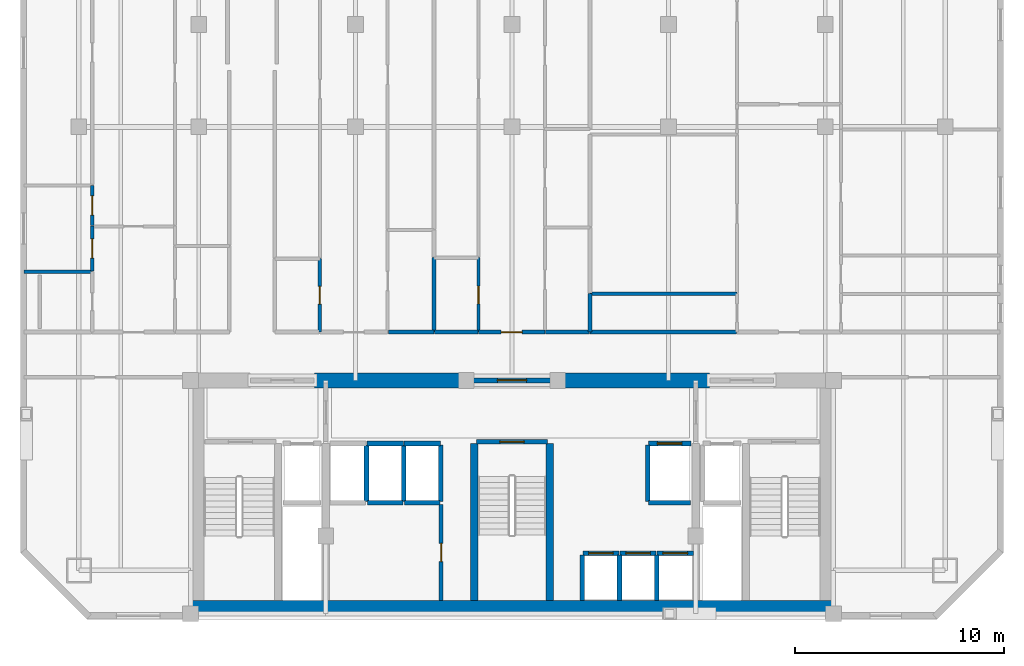
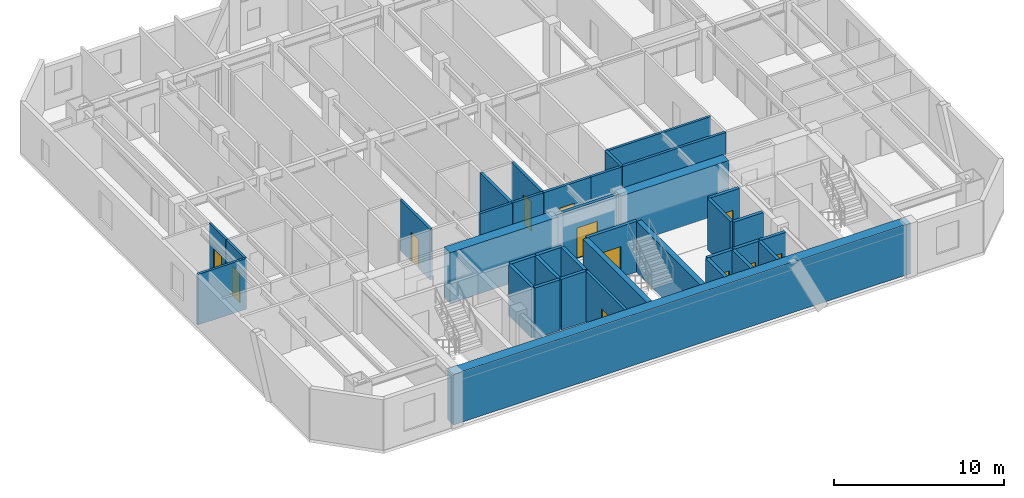
# One storey, part 3 of 8: 37 walls, 12 doors, 12 openings.
"""IFC4 building model written with IfcOpenShell, lengths in metres."""

from ifc_helpers import new_model, si_unit, direction, frame, frame_2d, origin, place, context, subcontext, project, spatial, rectangle, extrude, material, layer, layer_set, type_object, element, fill, save


model = new_model("IFC4")

# Units and contexts
model_context = context("Model", 3, precision=1e-05, world=origin(), true_north=direction((0.0, 1.0)))
body_context = subcontext(model_context, "Body", "Model", "MODEL_VIEW")
ifc_project = project(units=[si_unit("LENGTHUNIT", "METRE"), si_unit("AREAUNIT", "SQUARE_METRE"), si_unit("VOLUMEUNIT", "CUBIC_METRE"), si_unit("PLANEANGLEUNIT", "RADIAN"), si_unit("MASSUNIT", "GRAM", prefix="KILO")], contexts=[model_context])

# Site, building, storey
site_placement = place(None, origin())
site = spatial("IfcSite", under=ifc_project, at=site_placement, CompositionType="ELEMENT")
building_placement = place(site_placement, origin())
building = spatial("IfcBuilding", under=site, at=building_placement, Name="Ventersveld Concourse Tower", CompositionType="ELEMENT")
storey_placement = place(building_placement, frame((0.0, 0.0, 168.300048828125)))
storey = spatial("IfcBuildingStorey", under=building, at=storey_placement, Name="L41", CompositionType="ELEMENT", Elevation=168.300048828125)

# Walls
ifc_material_1 = material(Name="Concrete C60/75", Category="concrete")
ifc_layer_1 = layer(ifc_material_1, 0.35009765625)
ifc_layer_set_1 = layer_set([ifc_layer_1], Name="Concrete C60/75")
wall_type_1 = type_object("IfcWallType", Name="WL-CORE-350L", PredefinedType="SHEAR", material=ifc_layer_set_1)
for number, where, z_axis, x_axis, name in (
    (1, (26.93994140625, 0.919921875, 0.0), (0.0, 0.0, 1.0), (0.0, 1.0, 0.0), "L41 Core Internal Shear Web W-ST3-W"),
    (2, (30.56005859375, 0.919921875, 0.0), (0.0, 0.0, 1.0), (0.0, 1.0, 0.0), "L41 Core Internal Shear Web W-ST3-E"),
):
    element("IfcWall", number, at=place(storey_placement, frame(where, z_axis=z_axis, x_axis=x_axis)), inside=storey, type_object=wall_type_1, Name=name, PredefinedType="SHEAR", context=body_context, shape_type="SweptSolid", body=[
        extrude(rectangle(XDim=7.5, YDim=0.35009765625, at=frame_2d((3.75, 0.0))), origin(), (0.0, 0.0, 1.0), 3.6298828125),
    ])
ifc_layer_2 = layer(ifc_material_1, 0.699951171875)
ifc_layer_set_2 = layer_set([ifc_layer_2], Name="Concrete C60/75")
wall_type_2 = type_object("IfcWallType", Name="WL-CORE-700", PredefinedType="SHEAR", material=ifc_layer_set_2)
wall_1_placement = place(storey_placement, frame((13.25, 0.570068359375, 0.0), z_axis=(0.0, 0.0, 1.0), x_axis=(1.0, 0.0, 0.0)))
element("IfcWall", 3, at=wall_1_placement, inside=storey, type_object=wall_type_2, Name="L41 Rear Core South Shear Wall", PredefinedType="SHEAR", context=body_context, shape_type="SweptSolid", body=[
    extrude(rectangle(XDim=31.0, YDim=0.699951171875, at=frame_2d((15.5, 0.0))), origin(), (0.0, 0.0, 1.0), 3.6298828125),
])
for number, where, z_axis, x_axis, name in (
    (4, (19.300048828125, 11.449951171875, 0.0), (0.0, 0.0, 1.0), (1.0, 0.0, 0.0), "L41 Rear Core North Shear Wall NML"),
    (5, (30.89990234375, 11.449951171875, 0.0), (0.0, 0.0, 1.0), (1.0, 0.0, 0.0), "L41 Rear Core North Shear Wall NMR"),
):
    element("IfcWall", number, at=place(storey_placement, frame(where, z_axis=z_axis, x_axis=x_axis)), inside=storey, type_object=wall_type_2, Name=name, PredefinedType="SHEAR", context=body_context, shape_type="SweptSolid", body=[
        extrude(rectangle(XDim=7.300048828125, YDim=0.699951171875, at=frame_2d((3.64990234375, 0.0))), origin(), (0.0, 0.0, 1.0), 3.6298828125),
    ])

# Wall, opening, door
ifc_material_2 = material(Name="Fire-rated autoclaved aerated masonry blockwork", Category="masonry")
ifc_layer_3 = layer(ifc_material_2, 0.179931640625)
ifc_layer_set_3 = layer_set([ifc_layer_3], Name="Fire-rated autoclaved aerated masonry blockwork")
wall_type_3 = type_object("IfcWallType", Name="WL-CORR-180", PredefinedType="PARTITIONING", material=ifc_layer_set_3)
wall_2_placement = place(storey_placement, frame((25.35009765625, 0.89990234375, 0.0), z_axis=(0.0, 0.0, 1.0), x_axis=(0.0, 1.0, 0.0)))
wall_2 = element("IfcWall", 6, at=wall_2_placement, inside=storey, type_object=wall_type_3, Name="L41 Core Passage Wall SP-L41-RECB1A", PredefinedType="PARTITIONING", context=body_context, shape_type="SweptSolid", body=[
    extrude(rectangle(XDim=4.6201171875, YDim=0.179931640625, at=frame_2d((2.31005859375, 0.0))), origin(), (0.0, 0.0, 1.0), 3.6298828125),
])
opening_1_placement = place(wall_2_placement, frame((1.8701171875, 0.0, 0.0)))
opening_1 = element("IfcOpeningElement", 7, at=opening_1_placement, cuts=wall_2, Name="Opening FD5", PredefinedType="OPENING", context=body_context, shape_type="SweptSolid", body=[
    extrude(rectangle(XDim=0.8798828125, YDim=2.050048828125, at=frame_2d((0.43994140625, 1.02490234375))), frame((0.0, 0.10009765625, 0.0), z_axis=(0.0, -1.0, 0.0), x_axis=(1.0, 0.0, 0.0)), (0.0, 0.0, 1.0), 0.199951171875),
])
ifc_material_3 = material(Name="Galvanised painted steel", Category="steel")
door_type_1 = type_object("IfcDoorType", Name="DR-RISER-088", OperationType="NOTDEFINED", PredefinedType="DOOR", material=ifc_material_3)
door_1_placement = place(opening_1_placement, origin())
door_1 = element("IfcDoor", 8, at=door_1_placement, inside=storey, type_object=door_type_1, Name="L41 Core Room Door L41 Reclaimed Core Meeting Pod (CD-L41-1999)", OperationType="SINGLE_SWING_RIGHT", OverallHeight=2.050048828125, OverallWidth=0.8798828125, PredefinedType="DOOR", context=body_context, shape_type="SweptSolid", body=[
    extrude(rectangle(XDim=0.8798828125, YDim=2.050048828125, at=frame_2d((0.43994140625, 1.02490234375))), frame((0.0, 0.02490234375, 0.0), z_axis=(0.0, -1.0, 0.0), x_axis=(1.0, 0.0, 0.0)), (0.0, 0.0, 1.0), 0.050048828125),
])
fill(opening_1, door_1)

# Walls
wall_3_placement = place(storey_placement, frame((22.8251953125, 13.77001953125, 0.0), z_axis=(0.0, 0.0, 1.0), x_axis=(1.0, 0.0, 0.0)))
element("IfcWall", 9, at=wall_3_placement, inside=storey, type_object=wall_type_3, Name="L41 Interior Partition SP-L41-COR-SP-L41-41CW-KIT", PredefinedType="PARTITIONING", context=body_context, shape_type="SweptSolid", body=[
    extrude(rectangle(XDim=2.189697265625, YDim=0.179931640625, at=frame_2d((1.0947265625, 0.0))), origin(), (0.0, 0.0, 1.0), 3.6298828125),
])
wall_4_placement = place(storey_placement, frame((32.485107421875, 13.77001953125, 0.0), z_axis=(0.0, 0.0, 1.0), x_axis=(1.0, 0.0, 0.0)))
element("IfcWall", 10, at=wall_4_placement, inside=storey, type_object=wall_type_3, Name="L41 Interior Partition SP-L41-COR-SP-L41-41CE-BATH", PredefinedType="PARTITIONING", context=body_context, shape_type="SweptSolid", body=[
    extrude(rectangle(XDim=7.009033203125, YDim=0.179931640625, at=frame_2d((3.50439453125, 0.0))), origin(), (0.0, 0.0, 1.0), 3.6298828125),
])

# Wall, opening, door
wall_5_placement = place(storey_placement, frame((27.140869140625, 13.77001953125, 0.0), z_axis=(0.0, 0.0, 1.0), x_axis=(1.0, 0.0, 0.0)))
wall_5 = element("IfcWall", 11, at=wall_5_placement, inside=storey, type_object=wall_type_3, Name="L41 Interior Partition SP-L41-COR-SP-L41-41CM-LIV", PredefinedType="PARTITIONING", context=body_context, shape_type="SweptSolid", body=[
    extrude(rectangle(XDim=3.18798828125, YDim=0.179931640625, at=frame_2d((1.593994140625, 0.0))), origin(), (0.0, 0.0, 1.0), 3.6298828125),
])
opening_2_placement = place(wall_5_placement, frame((1.093994140625, 0.0, 0.0)))
opening_2 = element("IfcOpeningElement", 12, at=opening_2_placement, cuts=wall_5, Name="Opening FD3", PredefinedType="OPENING", context=body_context, shape_type="SweptSolid", body=[
    extrude(rectangle(XDim=1.0, YDim=2.14990234375, at=frame_2d((0.5, 1.074951171875))), frame((0.0, 0.10009765625, 0.0), z_axis=(0.0, -1.0, 0.0), x_axis=(1.0, 0.0, 0.0)), (0.0, 0.0, 1.0), 0.199951171875),
])
ifc_material_4 = material(Name="Solid-core hardwood veneer timber", Category="wood")
door_type_2 = type_object("IfcDoorType", Name="DR-FLAT-100", OperationType="NOTDEFINED", PredefinedType="DOOR", material=ifc_material_4)
door_2_placement = place(opening_2_placement, origin())
door_2 = element("IfcDoor", 13, at=door_2_placement, inside=storey, type_object=door_type_2, Name="L41 Interior Door SP-L41-COR to SP-L41-41CM-LIV (FD-L41-2005)", OperationType="SINGLE_SWING_LEFT", OverallHeight=2.14990234375, OverallWidth=1.0, PredefinedType="DOOR", context=body_context, shape_type="SweptSolid", body=[
    extrude(rectangle(XDim=1.0, YDim=2.14990234375, at=frame_2d((0.5, 1.074951171875))), frame((0.0, 0.02490234375, 0.0), z_axis=(0.0, -1.0, 0.0), x_axis=(1.0, 0.0, 0.0)), (0.0, 0.0, 1.0), 0.050048828125),
])
fill(opening_2, door_2)

# Walls
wall_6_placement = place(storey_placement, frame((25.044921875, 13.77001953125, 0.0), z_axis=(0.0, 0.0, 1.0), x_axis=(1.0, 0.0, 0.0)))
element("IfcWall", 14, at=wall_6_placement, inside=storey, type_object=wall_type_3, Name="L41 Interior Partition SP-L41-COR-SP-L41-41CM-BATH", PredefinedType="PARTITIONING", context=body_context, shape_type="SweptSolid", body=[
    extrude(rectangle(XDim=2.06591796875, YDim=0.179931640625, at=frame_2d((1.032958984375, 0.0))), origin(), (0.0, 0.0, 1.0), 3.6298828125),
])
wall_7_placement = place(storey_placement, frame((30.35888671875, 13.77001953125, 0.0), z_axis=(0.0, 0.0, 1.0), x_axis=(1.0, 0.0, 0.0)))
element("IfcWall", 15, at=wall_7_placement, inside=storey, type_object=wall_type_3, Name="L41 Interior Partition SP-L41-COR-SP-L41-41CM-KIT", PredefinedType="PARTITIONING", context=body_context, shape_type="SweptSolid", body=[
    extrude(rectangle(XDim=2.09619140625, YDim=0.179931640625, at=frame_2d((1.048095703125, 0.0))), origin(), (0.0, 0.0, 1.0), 3.6298828125),
])
ifc_layer_4 = layer(ifc_material_2, 0.199951171875)
ifc_layer_set_4 = layer_set([ifc_layer_4], Name="Fire-rated autoclaved aerated masonry blockwork")
wall_type_4 = type_object("IfcWallType", Name="WL-DEMISE-200", PredefinedType="PARTITIONING", material=ifc_layer_set_4)
wall_8_placement = place(storey_placement, frame((25.010009765625, 13.764892578125, 0.0), z_axis=(0.0, 0.0, 1.0), x_axis=(0.0, 1.0, 0.0)))
element("IfcWall", 16, at=wall_8_placement, inside=storey, type_object=wall_type_4, Name="L41 Interior Partition SP-L41-41CW-KIT-SP-L41-41CM-BATH", PredefinedType="PARTITIONING", context=body_context, shape_type="SweptSolid", body=[
    extrude(rectangle(XDim=3.564697265625, YDim=0.199951171875, at=frame_2d((1.7822265625, 0.0))), origin(), (0.0, 0.0, 1.0), 3.6298828125),
])
wall_9_placement = place(storey_placement, frame((32.489990234375, 13.764892578125, 0.0), z_axis=(0.0, 0.0, 1.0), x_axis=(0.0, 1.0, 0.0)))
element("IfcWall", 17, at=wall_9_placement, inside=storey, type_object=wall_type_4, Name="L41 Interior Partition SP-L41-41CE-BATH-SP-L41-41CM-KIT", PredefinedType="PARTITIONING", context=body_context, shape_type="SweptSolid", body=[
    extrude(rectangle(XDim=1.840087890625, YDim=0.199951171875, at=frame_2d((0.919921875, 0.0))), origin(), (0.0, 0.0, 1.0), 3.6298828125),
])
ifc_layer_5 = layer(ifc_material_2, 0.219970703125)
ifc_layer_set_5 = layer_set([ifc_layer_5], Name="Fire-rated autoclaved aerated masonry blockwork")
wall_type_5 = type_object("IfcWallType", Name="WL-HOIST-220", PredefinedType="SOLIDWALL", material=ifc_layer_set_5)
wall_10_placement = place(storey_placement, frame((35.300048828125, 5.590087890625, 0.0), z_axis=(0.0, 0.0, 1.0), x_axis=(1.0, 0.0, 0.0)))
element("IfcWall", 18, at=wall_10_placement, inside=storey, type_object=wall_type_5, Name="L41 Lift Hoistway Back Wall SVL-01", PredefinedType="SOLIDWALL", context=body_context, shape_type="SweptSolid", body=[
    extrude(rectangle(XDim=2.0, YDim=0.219970703125, at=frame_2d((1.0, 0.0))), origin(), (0.0, 0.0, 1.0), 3.6298828125),
])
wall_11_placement = place(storey_placement, frame((35.260009765625, 5.64990234375, 0.0), z_axis=(0.0, 0.0, 1.0), x_axis=(0.0, 1.0, 0.0)))
element("IfcWall", 19, at=wall_11_placement, inside=storey, type_object=wall_type_5, Name="L41 Lift Hoistway Side Wall SVL-01W", PredefinedType="SOLIDWALL", context=body_context, shape_type="SweptSolid", body=[
    extrude(rectangle(XDim=2.7001953125, YDim=0.219970703125, at=frame_2d((1.35009765625, 0.0))), origin(), (0.0, 0.0, 1.0), 3.6298828125),
])

# Wall, opening, door
wall_12_placement = place(storey_placement, frame((35.280029296875, 8.429931640625, 0.0), z_axis=(0.0, 0.0, 1.0), x_axis=(1.0, 0.0, 0.0)))
wall_12 = element("IfcWall", 20, at=wall_12_placement, inside=storey, type_object=wall_type_5, Name="L41 Lift Hoistway Front Wall SVL-01", PredefinedType="SOLIDWALL", context=body_context, shape_type="SweptSolid", body=[
    extrude(rectangle(XDim=2.0400390625, YDim=0.219970703125, at=frame_2d((1.02001953125, 0.0))), origin(), (0.0, 0.0, 1.0), 3.6298828125),
])
opening_3_placement = place(wall_12_placement, frame((0.429931640625, 0.0, 0.0)))
opening_3 = element("IfcOpeningElement", 21, at=opening_3_placement, cuts=wall_12, Name="Opening LD2", PredefinedType="OPENING", context=body_context, shape_type="SweptSolid", body=[
    extrude(rectangle(XDim=1.179931640625, YDim=2.199951171875, at=frame_2d((0.58984375, 1.10009765625))), frame((0.0, 0.1201171875, 0.0), z_axis=(0.0, -1.0, 0.0), x_axis=(1.0, 0.0, 0.0)), (0.0, 0.0, 1.0), 0.239990234375),
])
ifc_material_5 = material(Name="Brushed stainless steel 316", Category="steel")
door_type_3 = type_object("IfcDoorType", Name="LD-PAX-118", OperationType="SLIDING_TO_LEFT", PredefinedType="DOOR", material=ifc_material_5)
door_3_placement = place(opening_3_placement, origin())
door_3 = element("IfcDoor", 22, at=door_3_placement, inside=storey, type_object=door_type_3, Name="L41 Lift landing door SVL-01 (LD-L41-SVL-01)", OperationType="SLIDING_TO_LEFT", OverallHeight=2.199951171875, OverallWidth=1.179931640625, PredefinedType="DOOR", context=body_context, shape_type="SweptSolid", body=[
    extrude(rectangle(XDim=1.179931640625, YDim=2.199951171875, at=frame_2d((0.58984375, 1.10009765625))), frame((0.0, 0.02490234375, 0.0), z_axis=(0.0, -1.0, 0.0), x_axis=(1.0, 0.0, 0.0)), (0.0, 0.0, 1.0), 0.050048828125),
])
fill(opening_3, door_3)

# Walls
for number, where, z_axis, x_axis, name in (
    (23, (32.1201171875, 0.89990234375, 0.0), (0.0, 0.0, 1.0), (0.0, 1.0, 0.0), "L41 Lift Hoistway Side Wall PM-01W"),
    (24, (33.89990234375, 0.89990234375, 0.0), (0.0, 0.0, 1.0), (0.0, 1.0, 0.0), "L41 Lift Hoistway Side Wall PM-01E"),
):
    element("IfcWall", number, at=place(storey_placement, frame(where, z_axis=z_axis, x_axis=x_axis)), inside=storey, type_object=wall_type_5, Name=name, PredefinedType="SOLIDWALL", context=body_context, shape_type="SweptSolid", body=[
        extrude(rectangle(XDim=2.2001953125, YDim=0.219970703125, at=frame_2d((1.10009765625, 0.0))), origin(), (0.0, 0.0, 1.0), 3.6298828125),
    ])

# Wall, opening, door
wall_13_placement = place(storey_placement, frame((32.139892578125, 3.179931640625, 0.0), z_axis=(0.0, 0.0, 1.0), x_axis=(1.0, 0.0, 0.0)))
wall_13 = element("IfcWall", 25, at=wall_13_placement, inside=storey, type_object=wall_type_5, Name="L41 Lift Hoistway Front Wall PM-01", PredefinedType="SOLIDWALL", context=body_context, shape_type="SweptSolid", body=[
    extrude(rectangle(XDim=1.739990234375, YDim=0.219970703125, at=frame_2d((0.8701171875, 0.0))), origin(), (0.0, 0.0, 1.0), 3.6298828125),
])
opening_4_placement = place(wall_13_placement, frame((0.280029296875, 0.0, 0.0)))
opening_4 = element("IfcOpeningElement", 26, at=opening_4_placement, cuts=wall_13, Name="Opening LD2", PredefinedType="OPENING", context=body_context, shape_type="SweptSolid", body=[
    extrude(rectangle(XDim=1.179931640625, YDim=2.199951171875, at=frame_2d((0.58984375, 1.10009765625))), frame((0.0, 0.1201171875, 0.0), z_axis=(0.0, -1.0, 0.0), x_axis=(1.0, 0.0, 0.0)), (0.0, 0.0, 1.0), 0.239990234375),
])
door_4_placement = place(opening_4_placement, origin())
door_4 = element("IfcDoor", 27, at=door_4_placement, inside=storey, type_object=door_type_3, Name="L41 Lift landing door PM-01 (LD-L41-PM-01)", OperationType="SLIDING_TO_RIGHT", OverallHeight=2.199951171875, OverallWidth=1.179931640625, PredefinedType="DOOR", context=body_context, shape_type="SweptSolid", body=[
    extrude(rectangle(XDim=1.179931640625, YDim=2.199951171875, at=frame_2d((0.58984375, 1.10009765625))), frame((0.0, 0.02490234375, 0.0), z_axis=(0.0, -1.0, 0.0), x_axis=(1.0, 0.0, 0.0)), (0.0, 0.0, 1.0), 0.050048828125),
])
fill(opening_4, door_4)

# Wall
wall_14_placement = place(storey_placement, frame((35.679931640625, 0.89990234375, 0.0), z_axis=(0.0, 0.0, 1.0), x_axis=(0.0, 1.0, 0.0)))
element("IfcWall", 28, at=wall_14_placement, inside=storey, type_object=wall_type_5, Name="L41 Lift Hoistway Side Wall PM-02E", PredefinedType="SOLIDWALL", context=body_context, shape_type="SweptSolid", body=[
    extrude(rectangle(XDim=2.2001953125, YDim=0.219970703125, at=frame_2d((1.10009765625, 0.0))), origin(), (0.0, 0.0, 1.0), 3.6298828125),
])

# Wall, opening, door
wall_15_placement = place(storey_placement, frame((33.919921875, 3.179931640625, 0.0), z_axis=(0.0, 0.0, 1.0), x_axis=(1.0, 0.0, 0.0)))
wall_15 = element("IfcWall", 29, at=wall_15_placement, inside=storey, type_object=wall_type_5, Name="L41 Lift Hoistway Front Wall PM-02", PredefinedType="SOLIDWALL", context=body_context, shape_type="SweptSolid", body=[
    extrude(rectangle(XDim=1.739990234375, YDim=0.219970703125, at=frame_2d((0.8701171875, 0.0))), origin(), (0.0, 0.0, 1.0), 3.6298828125),
])
opening_5_placement = place(wall_15_placement, frame((0.280029296875, 0.0, 0.0)))
opening_5 = element("IfcOpeningElement", 30, at=opening_5_placement, cuts=wall_15, Name="Opening LD2", PredefinedType="OPENING", context=body_context, shape_type="SweptSolid", body=[
    extrude(rectangle(XDim=1.179931640625, YDim=2.199951171875, at=frame_2d((0.58984375, 1.10009765625))), frame((0.0, 0.1201171875, 0.0), z_axis=(0.0, -1.0, 0.0), x_axis=(1.0, 0.0, 0.0)), (0.0, 0.0, 1.0), 0.239990234375),
])
door_5_placement = place(opening_5_placement, origin())
door_5 = element("IfcDoor", 31, at=door_5_placement, inside=storey, type_object=door_type_3, Name="L41 Lift landing door PM-02 (LD-L41-PM-02)", OperationType="SLIDING_TO_LEFT", OverallHeight=2.199951171875, OverallWidth=1.179931640625, PredefinedType="DOOR", context=body_context, shape_type="SweptSolid", body=[
    extrude(rectangle(XDim=1.179931640625, YDim=2.199951171875, at=frame_2d((0.58984375, 1.10009765625))), frame((0.0, 0.02490234375, 0.0), z_axis=(0.0, -1.0, 0.0), x_axis=(1.0, 0.0, 0.0)), (0.0, 0.0, 1.0), 0.050048828125),
])
fill(opening_5, door_5)

wall_16_placement = place(storey_placement, frame((35.699951171875, 3.179931640625, 0.0), z_axis=(0.0, 0.0, 1.0), x_axis=(1.0, 0.0, 0.0)))
wall_16 = element("IfcWall", 32, at=wall_16_placement, inside=storey, type_object=wall_type_5, Name="L41 Lift Hoistway Front Wall PM-03", PredefinedType="SOLIDWALL", context=body_context, shape_type="SweptSolid", body=[
    extrude(rectangle(XDim=1.739990234375, YDim=0.219970703125, at=frame_2d((0.8701171875, 0.0))), origin(), (0.0, 0.0, 1.0), 3.6298828125),
])
opening_6_placement = place(wall_16_placement, frame((0.280029296875, 0.0, 0.0)))
opening_6 = element("IfcOpeningElement", 33, at=opening_6_placement, cuts=wall_16, Name="Opening LD2", PredefinedType="OPENING", context=body_context, shape_type="SweptSolid", body=[
    extrude(rectangle(XDim=1.179931640625, YDim=2.199951171875, at=frame_2d((0.58984375, 1.10009765625))), frame((0.0, 0.1201171875, 0.0), z_axis=(0.0, -1.0, 0.0), x_axis=(1.0, 0.0, 0.0)), (0.0, 0.0, 1.0), 0.239990234375),
])
door_6_placement = place(opening_6_placement, origin())
door_6 = element("IfcDoor", 34, at=door_6_placement, inside=storey, type_object=door_type_3, Name="L41 Lift landing door PM-03 (LD-L41-PM-03)", OperationType="SLIDING_TO_RIGHT", OverallHeight=2.199951171875, OverallWidth=1.179931640625, PredefinedType="DOOR", context=body_context, shape_type="SweptSolid", body=[
    extrude(rectangle(XDim=1.179931640625, YDim=2.199951171875, at=frame_2d((0.58984375, 1.10009765625))), frame((0.0, 0.02490234375, 0.0), z_axis=(0.0, -1.0, 0.0), x_axis=(1.0, 0.0, 0.0)), (0.0, 0.0, 1.0), 0.050048828125),
])
fill(opening_6, door_6)

# Walls
wall_17_placement = place(storey_placement, frame((21.780029296875, 5.64990234375, 0.0), z_axis=(0.0, 0.0, 1.0), x_axis=(0.0, 1.0, 0.0)))
element("IfcWall", 35, at=wall_17_placement, inside=storey, type_object=wall_type_5, Name="L41 Lift Hoistway Side Wall PH-01E", PredefinedType="SOLIDWALL", context=body_context, shape_type="SweptSolid", body=[
    extrude(rectangle(XDim=2.7001953125, YDim=0.219970703125, at=frame_2d((1.35009765625, 0.0))), origin(), (0.0, 0.0, 1.0), 3.6298828125),
])
wall_18_placement = place(storey_placement, frame((21.820068359375, 5.590087890625, 0.0), z_axis=(0.0, 0.0, 1.0), x_axis=(1.0, 0.0, 0.0)))
element("IfcWall", 36, at=wall_18_placement, inside=storey, type_object=wall_type_5, Name="L41 Lift Hoistway Back Wall PH-02", PredefinedType="SOLIDWALL", context=body_context, shape_type="SweptSolid", body=[
    extrude(rectangle(XDim=1.699951171875, YDim=0.219970703125, at=frame_2d((0.85009765625, 0.0))), origin(), (0.0, 0.0, 1.0), 3.6298828125),
])
wall_19_placement = place(storey_placement, frame((23.56005859375, 5.64990234375, 0.0), z_axis=(0.0, 0.0, 1.0), x_axis=(0.0, 1.0, 0.0)))
element("IfcWall", 37, at=wall_19_placement, inside=storey, type_object=wall_type_5, Name="L41 Lift Hoistway Side Wall PH-02E", PredefinedType="SOLIDWALL", context=body_context, shape_type="SweptSolid", body=[
    extrude(rectangle(XDim=2.7001953125, YDim=0.219970703125, at=frame_2d((1.35009765625, 0.0))), origin(), (0.0, 0.0, 1.0), 3.6298828125),
])
wall_20_placement = place(storey_placement, frame((21.800048828125, 8.429931640625, 0.0), z_axis=(0.0, 0.0, 1.0), x_axis=(1.0, 0.0, 0.0)))
element("IfcWall", 38, at=wall_20_placement, inside=storey, type_object=wall_type_5, Name="L41 Lift Hoistway Front Wall PH-02", PredefinedType="SOLIDWALL", context=body_context, shape_type="SweptSolid", body=[
    extrude(rectangle(XDim=1.739990234375, YDim=0.219970703125, at=frame_2d((0.8701171875, 0.0))), origin(), (0.0, 0.0, 1.0), 3.6298828125),
])
wall_21_placement = place(storey_placement, frame((23.60009765625, 5.590087890625, 0.0), z_axis=(0.0, 0.0, 1.0), x_axis=(1.0, 0.0, 0.0)))
element("IfcWall", 39, at=wall_21_placement, inside=storey, type_object=wall_type_5, Name="L41 Lift Hoistway Back Wall PH-03", PredefinedType="SOLIDWALL", context=body_context, shape_type="SweptSolid", body=[
    extrude(rectangle(XDim=1.699951171875, YDim=0.219970703125, at=frame_2d((0.85009765625, 0.0))), origin(), (0.0, 0.0, 1.0), 3.6298828125),
])
wall_22_placement = place(storey_placement, frame((25.340087890625, 5.64990234375, 0.0), z_axis=(0.0, 0.0, 1.0), x_axis=(0.0, 1.0, 0.0)))
element("IfcWall", 40, at=wall_22_placement, inside=storey, type_object=wall_type_5, Name="L41 Lift Hoistway Side Wall PH-03E", PredefinedType="SOLIDWALL", context=body_context, shape_type="SweptSolid", body=[
    extrude(rectangle(XDim=2.7001953125, YDim=0.219970703125, at=frame_2d((1.35009765625, 0.0))), origin(), (0.0, 0.0, 1.0), 3.6298828125),
])
wall_23_placement = place(storey_placement, frame((23.580078125, 8.429931640625, 0.0), z_axis=(0.0, 0.0, 1.0), x_axis=(1.0, 0.0, 0.0)))
element("IfcWall", 41, at=wall_23_placement, inside=storey, type_object=wall_type_5, Name="L41 Lift Hoistway Front Wall PH-03", PredefinedType="SOLIDWALL", context=body_context, shape_type="SweptSolid", body=[
    extrude(rectangle(XDim=1.739990234375, YDim=0.219970703125, at=frame_2d((0.8701171875, 0.0))), origin(), (0.0, 0.0, 1.0), 3.6298828125),
])

# Wall, opening, door
wall_24_placement = place(storey_placement, frame((27.0400390625, 8.52001953125, 0.0), z_axis=(0.0, 0.0, 1.0), x_axis=(1.0, 0.0, 0.0)))
wall_24 = element("IfcWall", 42, at=wall_24_placement, inside=storey, type_object=wall_type_5, Name="L41 Escape Stair ST03 Fire Wall", PredefinedType="SOLIDWALL", context=body_context, shape_type="SweptSolid", body=[
    extrude(rectangle(XDim=3.419921875, YDim=0.219970703125, at=frame_2d((1.7099609375, 0.0))), origin(), (0.0, 0.0, 1.0), 3.6298828125),
])
opening_7_placement = place(wall_24_placement, frame((1.135009765625, 0.0, 0.0)))
opening_7 = element("IfcOpeningElement", 43, at=opening_7_placement, cuts=wall_24, Name="Opening FD1", PredefinedType="OPENING", context=body_context, shape_type="SweptSolid", body=[
    extrude(rectangle(XDim=1.14990234375, YDim=2.199951171875, at=frame_2d((0.574951171875, 1.10009765625))), frame((0.0, 0.1201171875, 0.0), z_axis=(0.0, -1.0, 0.0), x_axis=(1.0, 0.0, 0.0)), (0.0, 0.0, 1.0), 0.239990234375),
])
door_type_4 = type_object("IfcDoorType", Name="DR-STAIR-115", OperationType="NOTDEFINED", PredefinedType="DOOR", material=ifc_material_3)
door_7_placement = place(opening_7_placement, origin())
door_7 = element("IfcDoor", 44, at=door_7_placement, inside=storey, type_object=door_type_4, Name="L41 Escape Stair Door ST03 (SD-L41-1993)", OperationType="SINGLE_SWING_LEFT", OverallHeight=2.199951171875, OverallWidth=1.14990234375, PredefinedType="DOOR", context=body_context, shape_type="SweptSolid", body=[
    extrude(rectangle(XDim=1.14990234375, YDim=2.199951171875, at=frame_2d((0.574951171875, 1.10009765625))), frame((0.0, 0.02490234375, 0.0), z_axis=(0.0, -1.0, 0.0), x_axis=(1.0, 0.0, 0.0)), (0.0, 0.0, 1.0), 0.050048828125),
])
fill(opening_7, door_7)

wall_25_placement = place(storey_placement, frame((26.6298828125, 11.449951171875, 0.0), z_axis=(0.0, 0.0, 1.0), x_axis=(1.0, 0.0, 0.0)))
wall_25 = element("IfcWall", 45, at=wall_25_placement, inside=storey, type_object=wall_type_5, Name="L41 Core North Fire Portal PLOB-OUT", PredefinedType="SOLIDWALL", context=body_context, shape_type="SweptSolid", body=[
    extrude(rectangle(XDim=4.240234375, YDim=0.219970703125, at=frame_2d((2.1201171875, 0.0))), origin(), (0.0, 0.0, 1.0), 3.6298828125),
])
opening_8_placement = place(wall_25_placement, frame((1.419921875, 0.0, 0.0)))
opening_8 = element("IfcOpeningElement", 46, at=opening_8_placement, cuts=wall_25, Name="Opening FD4", PredefinedType="OPENING", context=body_context, shape_type="SweptSolid", body=[
    extrude(rectangle(XDim=1.39990234375, YDim=2.199951171875, at=frame_2d((0.699951171875, 1.10009765625))), frame((0.0, 0.1201171875, 0.0), z_axis=(0.0, -1.0, 0.0), x_axis=(1.0, 0.0, 0.0)), (0.0, 0.0, 1.0), 0.239990234375),
])
door_type_5 = type_object("IfcDoorType", Name="DR-PLANT-140", OperationType="DOUBLE_DOOR_SINGLE_SWING", PredefinedType="DOOR", material=ifc_material_3)
door_8_placement = place(opening_8_placement, origin())
door_8 = element("IfcDoor", 47, at=door_8_placement, inside=storey, type_object=door_type_5, Name="L41 Core Lobby Fire Door PLOB-OUT (FD-L41-1997)", OperationType="DOUBLE_DOOR_SINGLE_SWING", OverallHeight=2.199951171875, OverallWidth=1.39990234375, PredefinedType="DOOR", context=body_context, shape_type="SweptSolid", body=[
    extrude(rectangle(XDim=1.39990234375, YDim=2.199951171875, at=frame_2d((0.699951171875, 1.10009765625))), frame((0.0, 0.02490234375, 0.0), z_axis=(0.0, -1.0, 0.0), x_axis=(1.0, 0.0, 0.0)), (0.0, 0.0, 1.0), 0.050048828125),
])
fill(opening_8, door_8)

ifc_material_6 = material(Name="Autoclaved aerated masonry blockwork", Category="masonry")
ifc_layer_6 = layer(ifc_material_6, 0.14990234375)
ifc_layer_set_6 = layer_set([ifc_layer_6], Name="Autoclaved aerated masonry blockwork")
wall_type_6 = type_object("IfcWallType", Name="WL-INT-150", PredefinedType="PARTITIONING", material=ifc_layer_set_6)
wall_26_placement = place(storey_placement, frame((8.639892578125, 16.700927734375, 0.0), z_axis=(0.0, 0.0, 1.0), x_axis=(0.0, 1.0, 0.0)))
wall_26 = element("IfcWall", 48, at=wall_26_placement, inside=storey, type_object=wall_type_6, Name="L41 Interior Partition SP-L41-41NW-FOY-SP-L41-41NW-PANL2", PredefinedType="PARTITIONING", context=body_context, shape_type="SweptSolid", body=[
    extrude(rectangle(XDim=2.137451171875, YDim=0.14990234375, at=frame_2d((1.06884765625, 0.0))), origin(), (0.0, 0.0, 1.0), 3.6298828125),
])
opening_9_placement = place(wall_26_placement, frame((0.608642578125, 0.0, 0.0)))
opening_9 = element("IfcOpeningElement", 49, at=opening_9_placement, cuts=wall_26, Name="Opening ID1", PredefinedType="OPENING", context=body_context, shape_type="SweptSolid", body=[
    extrude(rectangle(XDim=0.919921875, YDim=2.10009765625, at=frame_2d((0.4599609375, 1.050048828125))), frame((0.0, 0.0849609375, 0.0), z_axis=(0.0, -1.0, 0.0), x_axis=(1.0, 0.0, 0.0)), (0.0, 0.0, 1.0), 0.169921875),
])
door_type_6 = type_object("IfcDoorType", Name="DR-ROOM-092", OperationType="NOTDEFINED", PredefinedType="DOOR", material=ifc_material_4)
door_9_placement = place(opening_9_placement, origin())
door_9 = element("IfcDoor", 50, at=door_9_placement, inside=storey, type_object=door_type_6, Name="L41 Interior Door SP-L41-41NW-FOY to SP-L41-41NW-PANL2 (D-L41-2008)", OperationType="SINGLE_SWING_RIGHT", OverallHeight=2.10009765625, OverallWidth=0.919921875, PredefinedType="DOOR", context=body_context, shape_type="SweptSolid", body=[
    extrude(rectangle(XDim=0.919921875, YDim=2.10009765625, at=frame_2d((0.4599609375, 1.050048828125))), frame((0.0, 0.02490234375, 0.0), z_axis=(0.0, -1.0, 0.0), x_axis=(1.0, 0.0, 0.0)), (0.0, 0.0, 1.0), 0.050048828125),
])
fill(opening_9, door_9)

wall_27_placement = place(storey_placement, frame((8.639892578125, 18.868408203125, 0.0), z_axis=(0.0, 0.0, 1.0), x_axis=(0.0, 1.0, 0.0)))
wall_27 = element("IfcWall", 51, at=wall_27_placement, inside=storey, type_object=wall_type_6, Name="L41 Interior Partition SP-L41-41NW-LIV-SP-L41-41NW-PANL2", PredefinedType="PARTITIONING", context=body_context, shape_type="SweptSolid", body=[
    extrude(rectangle(XDim=1.93310546875, YDim=0.14990234375, at=frame_2d((0.966552734375, 0.0))), origin(), (0.0, 0.0, 1.0), 3.6298828125),
])
opening_10_placement = place(wall_27_placement, frame((0.506591796875, 0.0, 0.0)))
opening_10 = element("IfcOpeningElement", 52, at=opening_10_placement, cuts=wall_27, Name="Opening ID1", PredefinedType="OPENING", context=body_context, shape_type="SweptSolid", body=[
    extrude(rectangle(XDim=0.919921875, YDim=2.10009765625, at=frame_2d((0.4599609375, 1.050048828125))), frame((0.0, 0.0849609375, 0.0), z_axis=(0.0, -1.0, 0.0), x_axis=(1.0, 0.0, 0.0)), (0.0, 0.0, 1.0), 0.169921875),
])
door_10_placement = place(opening_10_placement, origin())
door_10 = element("IfcDoor", 53, at=door_10_placement, inside=storey, type_object=door_type_6, Name="L41 Interior Door SP-L41-41NW-LIV to SP-L41-41NW-PANL2 (D-L41-2010)", OperationType="SINGLE_SWING_RIGHT", OverallHeight=2.10009765625, OverallWidth=0.919921875, PredefinedType="DOOR", context=body_context, shape_type="SweptSolid", body=[
    extrude(rectangle(XDim=0.919921875, YDim=2.10009765625, at=frame_2d((0.4599609375, 1.050048828125))), frame((0.0, 0.02490234375, 0.0), z_axis=(0.0, -1.0, 0.0), x_axis=(1.0, 0.0, 0.0)), (0.0, 0.0, 1.0), 0.050048828125),
])
fill(opening_10, door_10)

# Wall
ifc_layer_7 = layer(ifc_material_6, 0.1650390625)
ifc_layer_set_7 = layer_set([ifc_layer_7], Name="Autoclaved aerated masonry blockwork")
wall_type_7 = type_object("IfcWallType", Name="WL-WET-165", PredefinedType="PLUMBINGWALL", material=ifc_layer_set_7)
wall_28_placement = place(storey_placement, frame((5.37255859375, 16.666015625, 0.0), z_axis=(0.0, 0.0, 1.0), x_axis=(1.0, 0.0, 0.0)))
element("IfcWall", 54, at=wall_28_placement, inside=storey, type_object=wall_type_7, Name="L41 Interior Partition SP-L41-41NW-BATH-SP-L41-41NW-PANL2", PredefinedType="PLUMBINGWALL", context=body_context, shape_type="SweptSolid", body=[
    extrude(rectangle(XDim=3.2724609375, YDim=0.1650390625, at=frame_2d((1.63623046875, 0.0))), origin(), (0.0, 0.0, 1.0), 3.6298828125),
])

# Wall, opening, door
wall_29_placement = place(storey_placement, frame((19.5478515625, 13.764892578125, 0.0), z_axis=(0.0, 0.0, 1.0), x_axis=(0.0, 1.0, 0.0)))
wall_29 = element("IfcWall", 55, at=wall_29_placement, inside=storey, type_object=wall_type_7, Name="L41 Interior Partition SP-L41-41CW-LIV-SP-L41-41CW-BATH", PredefinedType="PLUMBINGWALL", context=body_context, shape_type="SweptSolid", body=[
    extrude(rectangle(XDim=3.527099609375, YDim=0.1650390625, at=frame_2d((1.763671875, 0.0))), origin(), (0.0, 0.0, 1.0), 3.6298828125),
])
opening_11_placement = place(wall_29_placement, frame((1.33837890625, 0.0, 0.0)))
opening_11 = element("IfcOpeningElement", 56, at=opening_11_placement, cuts=wall_29, Name="Opening ID2", PredefinedType="OPENING", context=body_context, shape_type="SweptSolid", body=[
    extrude(rectangle(XDim=0.85009765625, YDim=2.10009765625, at=frame_2d((0.425048828125, 1.050048828125))), frame((0.0, 0.092529296875, 0.0), z_axis=(0.0, -1.0, 0.0), x_axis=(1.0, 0.0, 0.0)), (0.0, 0.0, 1.0), 0.18505859375),
])
door_type_7 = type_object("IfcDoorType", Name="DR-BATH-085", OperationType="NOTDEFINED", PredefinedType="DOOR", material=ifc_material_4)
door_11_placement = place(opening_11_placement, origin())
door_11 = element("IfcDoor", 57, at=door_11_placement, inside=storey, type_object=door_type_7, Name="L41 Interior Door SP-L41-41CW-LIV to SP-L41-41CW-BATH (D-L41-2015)", OperationType="SINGLE_SWING_LEFT", OverallHeight=2.10009765625, OverallWidth=0.85009765625, PredefinedType="DOOR", context=body_context, shape_type="SweptSolid", body=[
    extrude(rectangle(XDim=0.85009765625, YDim=2.10009765625, at=frame_2d((0.425048828125, 1.050048828125))), frame((0.0, 0.02490234375, 0.0), z_axis=(0.0, -1.0, 0.0), x_axis=(1.0, 0.0, 0.0)), (0.0, 0.0, 1.0), 0.050048828125),
])
fill(opening_11, door_11)

# Wall
wall_30_placement = place(storey_placement, frame((32.485107421875, 15.60009765625, 0.0), z_axis=(0.0, 0.0, 1.0), x_axis=(1.0, 0.0, 0.0)))
element("IfcWall", 58, at=wall_30_placement, inside=storey, type_object=wall_type_7, Name="L41 Interior Partition SP-L41-41CE-BATH-SP-L41-41CE-OFFL0", PredefinedType="PLUMBINGWALL", context=body_context, shape_type="SweptSolid", body=[
    extrude(rectangle(XDim=7.049072265625, YDim=0.1650390625, at=frame_2d((3.5244140625, 0.0))), origin(), (0.0, 0.0, 1.0), 3.6298828125),
])

# Wall, opening, door
wall_31_placement = place(storey_placement, frame((27.145751953125, 13.764892578125, 0.0), z_axis=(0.0, 0.0, 1.0), x_axis=(0.0, 1.0, 0.0)))
wall_31 = element("IfcWall", 59, at=wall_31_placement, inside=storey, type_object=wall_type_7, Name="L41 Interior Partition SP-L41-41CM-LIV-SP-L41-41CM-BATH", PredefinedType="PLUMBINGWALL", context=body_context, shape_type="SweptSolid", body=[
    extrude(rectangle(XDim=3.564697265625, YDim=0.1650390625, at=frame_2d((1.7822265625, 0.0))), origin(), (0.0, 0.0, 1.0), 3.6298828125),
])
opening_12_placement = place(wall_31_placement, frame((1.357421875, 0.0, 0.0)))
opening_12 = element("IfcOpeningElement", 60, at=opening_12_placement, cuts=wall_31, Name="Opening ID2", PredefinedType="OPENING", context=body_context, shape_type="SweptSolid", body=[
    extrude(rectangle(XDim=0.85009765625, YDim=2.10009765625, at=frame_2d((0.425048828125, 1.050048828125))), frame((0.0, 0.092529296875, 0.0), z_axis=(0.0, -1.0, 0.0), x_axis=(1.0, 0.0, 0.0)), (0.0, 0.0, 1.0), 0.18505859375),
])
door_12_placement = place(opening_12_placement, origin())
door_12 = element("IfcDoor", 61, at=door_12_placement, inside=storey, type_object=door_type_7, Name="L41 Interior Door SP-L41-41CM-LIV to SP-L41-41CM-BATH (D-L41-2033)", OperationType="SINGLE_SWING_LEFT", OverallHeight=2.10009765625, OverallWidth=0.85009765625, PredefinedType="DOOR", context=body_context, shape_type="SweptSolid", body=[
    extrude(rectangle(XDim=0.85009765625, YDim=2.10009765625, at=frame_2d((0.425048828125, 1.050048828125))), frame((0.0, 0.02490234375, 0.0), z_axis=(0.0, -1.0, 0.0), x_axis=(1.0, 0.0, 0.0)), (0.0, 0.0, 1.0), 0.050048828125),
])
fill(opening_12, door_12)

save(model, "model.ifc")
